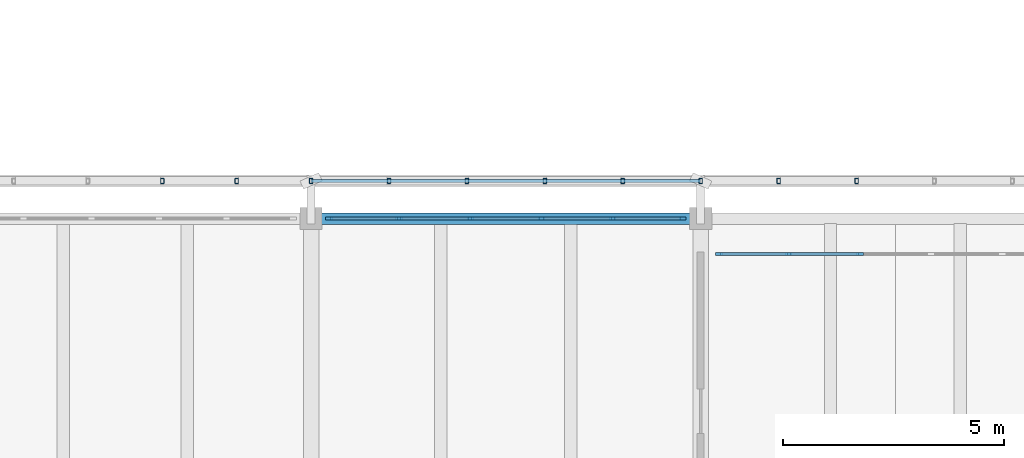
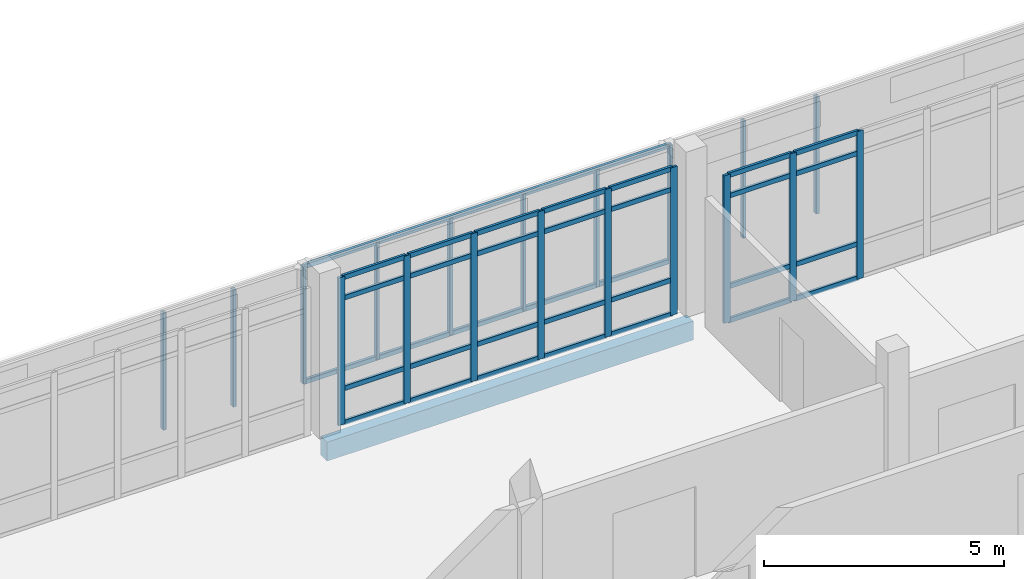
# One storey, part 29 of 137: 49 members, 1 beam, 2 elements without a shape of their own.
"""IFC4 building model written with IfcOpenShell, lengths in metres."""

from ifc_helpers import new_model, si_unit, direction, frame, origin, origin_2d, place, context, subcontext, project, spatial, rectangle, hollow_rectangle, extrude, material, material_profile, profile_set, type_object, element, aggregate, save


model = new_model("IFC4")

# Units and contexts
model_context = context("Model", 3, precision=1e-05, world=origin(), true_north=direction((0.0, 1.0)))
body_context = subcontext(model_context, "Body", "Model", "MODEL_VIEW")
ifc_project = project(units=[si_unit("LENGTHUNIT", "METRE"), si_unit("AREAUNIT", "SQUARE_METRE"), si_unit("VOLUMEUNIT", "CUBIC_METRE"), si_unit("PLANEANGLEUNIT", "RADIAN"), si_unit("MASSUNIT", "GRAM", prefix="KILO")], contexts=[model_context])

# Site, building, storey
site_placement = place(None, origin())
site = spatial("IfcSite", under=ifc_project, at=site_placement, CompositionType="ELEMENT")
building_placement = place(site_placement, origin())
building = spatial("IfcBuilding", under=site, at=building_placement, Name="Cinderway Yard Community Centre", CompositionType="ELEMENT")
storey_placement = place(building_placement, frame((0.0, 0.0, 4.800048828125)))
storey = spatial("IfcBuildingStorey", under=building, at=storey_placement, Name="L01", CompositionType="ELEMENT", Elevation=4.800048828125)

# Curtain wall, members
ifc_material_1 = material(Name="Aluminium 6063-T6", Category="aluminium")
curtain_wall_type = type_object("IfcCurtainWallType", Name="ENV-CW-TYPE-27", PredefinedType="USERDEFINED", material=ifc_material_1)
curtain_wall_1_placement = place(storey_placement, origin())
curtain_wall_1 = element("IfcCurtainWall", 1, at=curtain_wall_1_placement, inside=storey, type_object=curtain_wall_type, Name="Dining Courtyard Curtain Wall ENV-CW-L01-ST-0095", ObjectType="GLAZED CURTAIN WALL", PredefinedType="USERDEFINED")
ifc_material_profile_1 = material_profile(ifc_material_1, rectangle(XDim=0.06005859375, YDim=0.159912109375, at=origin_2d()), Name="Aluminium 6063-T6")
ifc_profile_set_1 = profile_set([ifc_material_profile_1], Name="Aluminium 6063-T6")
member_type_1 = type_object("IfcMemberType", Name="ENV-CW-MULL-150", PredefinedType="MULLION", material=ifc_profile_set_1)
member_1_placement = place(storey_placement, frame((75.610107421875, 22.800048828125, 0.0), z_axis=(0.0, 0.0, 1.0), x_axis=(0.0, 1.0, 0.0)))
member_1 = element("IfcMember", 2, at=member_1_placement, type_object=member_type_1, Name="CW-27 mullion 1", PredefinedType="MULLION", context=body_context, shape_type="SweptSolid", body=[
    extrude(rectangle(XDim=0.06005859375, YDim=0.159912109375, at=origin_2d()), origin(), (0.0, 0.0, 1.0), 3.75),
])
member_2_placement = place(storey_placement, frame((77.18798828125, 22.800048828125, 0.0), z_axis=(0.0, 0.0, 1.0), x_axis=(0.0, 1.0, 0.0)))
member_2 = element("IfcMember", 3, at=member_2_placement, type_object=member_type_1, Name="CW-27 mullion 2", PredefinedType="MULLION", context=body_context, shape_type="SweptSolid", body=[
    extrude(rectangle(XDim=0.06005859375, YDim=0.159912109375, at=origin_2d()), origin(), (0.0, 0.0, 1.0), 3.75),
])
member_3_placement = place(storey_placement, frame((78.7958984375, 22.800048828125, 0.0), z_axis=(0.0, 0.0, 1.0), x_axis=(0.0, 1.0, 0.0)))
member_3 = element("IfcMember", 4, at=member_3_placement, type_object=member_type_1, Name="CW-27 mullion 3", PredefinedType="MULLION", context=body_context, shape_type="SweptSolid", body=[
    extrude(rectangle(XDim=0.06005859375, YDim=0.159912109375, at=origin_2d()), origin(), (0.0, 0.0, 1.0), 3.75),
])
member_4_placement = place(storey_placement, frame((80.404052734375, 22.800048828125, 0.0), z_axis=(0.0, 0.0, 1.0), x_axis=(0.0, 1.0, 0.0)))
member_4 = element("IfcMember", 5, at=member_4_placement, type_object=member_type_1, Name="CW-27 mullion 4", PredefinedType="MULLION", context=body_context, shape_type="SweptSolid", body=[
    extrude(rectangle(XDim=0.06005859375, YDim=0.159912109375, at=origin_2d()), origin(), (0.0, 0.0, 1.0), 3.75),
])
member_5_placement = place(storey_placement, frame((82.011962890625, 22.800048828125, 0.0), z_axis=(0.0, 0.0, 1.0), x_axis=(0.0, 1.0, 0.0)))
member_5 = element("IfcMember", 6, at=member_5_placement, type_object=member_type_1, Name="CW-27 mullion 5", PredefinedType="MULLION", context=body_context, shape_type="SweptSolid", body=[
    extrude(rectangle(XDim=0.06005859375, YDim=0.159912109375, at=origin_2d()), origin(), (0.0, 0.0, 1.0), 3.75),
])
member_6_placement = place(storey_placement, frame((83.590087890625, 22.800048828125, 0.0), z_axis=(0.0, 0.0, 1.0), x_axis=(0.0, 1.0, 0.0)))
member_6 = element("IfcMember", 7, at=member_6_placement, type_object=member_type_1, Name="CW-27 mullion 6", PredefinedType="MULLION", context=body_context, shape_type="SweptSolid", body=[
    extrude(rectangle(XDim=0.06005859375, YDim=0.159912109375, at=origin_2d()), origin(), (0.0, 0.0, 1.0), 3.75),
])

curtain_wall_2_placement = place(storey_placement, origin())
curtain_wall_2 = element("IfcCurtainWall", 8, at=curtain_wall_2_placement, inside=storey, type_object=curtain_wall_type, Name="Dining Courtyard Curtain Wall ENV-CW-L01-ST-0096", ObjectType="GLAZED CURTAIN WALL", PredefinedType="USERDEFINED")
member_7_placement = place(storey_placement, frame((84.409912109375, 22.0, 0.0), z_axis=(0.0, 0.0, 1.0), x_axis=(0.0, 1.0, 0.0)))
member_7 = element("IfcMember", 9, at=member_7_placement, type_object=member_type_1, Name="CW-27 mullion 1", PredefinedType="MULLION", context=body_context, shape_type="SweptSolid", body=[
    extrude(rectangle(XDim=0.06005859375, YDim=0.159912109375, at=origin_2d()), origin(), (0.0, 0.0, 1.0), 3.75),
])
member_8_placement = place(storey_placement, frame((85.988037109375, 22.0, 0.0), z_axis=(0.0, 0.0, 1.0), x_axis=(0.0, 1.0, 0.0)))
member_8 = element("IfcMember", 10, at=member_8_placement, type_object=member_type_1, Name="CW-27 mullion 2", PredefinedType="MULLION", context=body_context, shape_type="SweptSolid", body=[
    extrude(rectangle(XDim=0.06005859375, YDim=0.159912109375, at=origin_2d()), origin(), (0.0, 0.0, 1.0), 3.75),
])
member_9_placement = place(storey_placement, frame((87.595947265625, 22.0, 0.0), z_axis=(0.0, 0.0, 1.0), x_axis=(0.0, 1.0, 0.0)))
member_9 = element("IfcMember", 11, at=member_9_placement, type_object=member_type_1, Name="CW-27 mullion 3", PredefinedType="MULLION", context=body_context, shape_type="SweptSolid", body=[
    extrude(rectangle(XDim=0.06005859375, YDim=0.159912109375, at=origin_2d()), origin(), (0.0, 0.0, 1.0), 3.75),
])

# Member
ifc_material_profile_2 = material_profile(ifc_material_1, rectangle(XDim=0.06005859375, YDim=0.1201171875, at=origin_2d()), Name="Aluminium 6063-T6")
ifc_profile_set_2 = profile_set([ifc_material_profile_2], Name="Aluminium 6063-T6")
member_type_2 = type_object("IfcMemberType", Name="ENV-CW-TRAN-110", PredefinedType="USERDEFINED", material=ifc_profile_set_2)
member_10_placement = place(storey_placement, frame((75.639892578125, 22.800048828125, 0.030029296875), z_axis=(1.0, 0.0, 0.0), x_axis=(0.0, 1.0, 0.0)))
member_10 = element("IfcMember", 12, at=member_10_placement, type_object=member_type_2, Name="CW-27 transom 1.1", ObjectType="TRANSOM", PredefinedType="USERDEFINED", context=body_context, shape_type="SweptSolid", body=[
    extrude(rectangle(XDim=0.06005859375, YDim=0.1201171875, at=origin_2d()), origin(), (0.0, 0.0, 1.0), 1.51806640625),
])

member_11_placement = place(storey_placement, frame((75.639892578125, 22.800048828125, 0.89990234375), z_axis=(1.0, 0.0, 0.0), x_axis=(0.0, 1.0, 0.0)))
member_11 = element("IfcMember", 13, at=member_11_placement, type_object=member_type_2, Name="CW-27 transom 1.2", ObjectType="TRANSOM", PredefinedType="USERDEFINED", context=body_context, shape_type="SweptSolid", body=[
    extrude(rectangle(XDim=0.06005859375, YDim=0.1201171875, at=origin_2d()), origin(), (0.0, 0.0, 1.0), 1.51806640625),
])

member_12_placement = place(storey_placement, frame((75.639892578125, 22.800048828125, 3.199951171875), z_axis=(1.0, 0.0, 0.0), x_axis=(0.0, 1.0, 0.0)))
member_12 = element("IfcMember", 14, at=member_12_placement, type_object=member_type_2, Name="CW-27 transom 1.3", ObjectType="TRANSOM", PredefinedType="USERDEFINED", context=body_context, shape_type="SweptSolid", body=[
    extrude(rectangle(XDim=0.06005859375, YDim=0.1201171875, at=origin_2d()), origin(), (0.0, 0.0, 1.0), 1.51806640625),
])

member_13_placement = place(storey_placement, frame((75.639892578125, 22.800048828125, 3.719970703125), z_axis=(1.0, 0.0, 0.0), x_axis=(0.0, 1.0, 0.0)))
member_13 = element("IfcMember", 15, at=member_13_placement, type_object=member_type_2, Name="CW-27 transom 1.4", ObjectType="TRANSOM", PredefinedType="USERDEFINED", context=body_context, shape_type="SweptSolid", body=[
    extrude(rectangle(XDim=0.06005859375, YDim=0.1201171875, at=origin_2d()), origin(), (0.0, 0.0, 1.0), 1.51806640625),
])

member_14_placement = place(storey_placement, frame((77.218017578125, 22.800048828125, 0.030029296875), z_axis=(1.0, 0.0, 0.0), x_axis=(0.0, 1.0, 0.0)))
member_14 = element("IfcMember", 16, at=member_14_placement, type_object=member_type_2, Name="CW-27 transom 2.1", ObjectType="TRANSOM", PredefinedType="USERDEFINED", context=body_context, shape_type="SweptSolid", body=[
    extrude(rectangle(XDim=0.06005859375, YDim=0.1201171875, at=origin_2d()), origin(), (0.0, 0.0, 1.0), 1.548095703125),
])

member_15_placement = place(storey_placement, frame((77.218017578125, 22.800048828125, 0.89990234375), z_axis=(1.0, 0.0, 0.0), x_axis=(0.0, 1.0, 0.0)))
member_15 = element("IfcMember", 17, at=member_15_placement, type_object=member_type_2, Name="CW-27 transom 2.2", ObjectType="TRANSOM", PredefinedType="USERDEFINED", context=body_context, shape_type="SweptSolid", body=[
    extrude(rectangle(XDim=0.06005859375, YDim=0.1201171875, at=origin_2d()), origin(), (0.0, 0.0, 1.0), 1.548095703125),
])

member_16_placement = place(storey_placement, frame((77.218017578125, 22.800048828125, 3.199951171875), z_axis=(1.0, 0.0, 0.0), x_axis=(0.0, 1.0, 0.0)))
member_16 = element("IfcMember", 18, at=member_16_placement, type_object=member_type_2, Name="CW-27 transom 2.3", ObjectType="TRANSOM", PredefinedType="USERDEFINED", context=body_context, shape_type="SweptSolid", body=[
    extrude(rectangle(XDim=0.06005859375, YDim=0.1201171875, at=origin_2d()), origin(), (0.0, 0.0, 1.0), 1.548095703125),
])

member_17_placement = place(storey_placement, frame((77.218017578125, 22.800048828125, 3.719970703125), z_axis=(1.0, 0.0, 0.0), x_axis=(0.0, 1.0, 0.0)))
member_17 = element("IfcMember", 19, at=member_17_placement, type_object=member_type_2, Name="CW-27 transom 2.4", ObjectType="TRANSOM", PredefinedType="USERDEFINED", context=body_context, shape_type="SweptSolid", body=[
    extrude(rectangle(XDim=0.06005859375, YDim=0.1201171875, at=origin_2d()), origin(), (0.0, 0.0, 1.0), 1.548095703125),
])

member_18_placement = place(storey_placement, frame((78.825927734375, 22.800048828125, 0.030029296875), z_axis=(1.0, 0.0, 0.0), x_axis=(0.0, 1.0, 0.0)))
member_18 = element("IfcMember", 20, at=member_18_placement, type_object=member_type_2, Name="CW-27 transom 3.1", ObjectType="TRANSOM", PredefinedType="USERDEFINED", context=body_context, shape_type="SweptSolid", body=[
    extrude(rectangle(XDim=0.06005859375, YDim=0.1201171875, at=origin_2d()), origin(), (0.0, 0.0, 1.0), 1.548095703125),
])

member_19_placement = place(storey_placement, frame((78.825927734375, 22.800048828125, 0.89990234375), z_axis=(1.0, 0.0, 0.0), x_axis=(0.0, 1.0, 0.0)))
member_19 = element("IfcMember", 21, at=member_19_placement, type_object=member_type_2, Name="CW-27 transom 3.2", ObjectType="TRANSOM", PredefinedType="USERDEFINED", context=body_context, shape_type="SweptSolid", body=[
    extrude(rectangle(XDim=0.06005859375, YDim=0.1201171875, at=origin_2d()), origin(), (0.0, 0.0, 1.0), 1.548095703125),
])

member_20_placement = place(storey_placement, frame((78.825927734375, 22.800048828125, 3.199951171875), z_axis=(1.0, 0.0, 0.0), x_axis=(0.0, 1.0, 0.0)))
member_20 = element("IfcMember", 22, at=member_20_placement, type_object=member_type_2, Name="CW-27 transom 3.3", ObjectType="TRANSOM", PredefinedType="USERDEFINED", context=body_context, shape_type="SweptSolid", body=[
    extrude(rectangle(XDim=0.06005859375, YDim=0.1201171875, at=origin_2d()), origin(), (0.0, 0.0, 1.0), 1.548095703125),
])

member_21_placement = place(storey_placement, frame((78.825927734375, 22.800048828125, 3.719970703125), z_axis=(1.0, 0.0, 0.0), x_axis=(0.0, 1.0, 0.0)))
member_21 = element("IfcMember", 23, at=member_21_placement, type_object=member_type_2, Name="CW-27 transom 3.4", ObjectType="TRANSOM", PredefinedType="USERDEFINED", context=body_context, shape_type="SweptSolid", body=[
    extrude(rectangle(XDim=0.06005859375, YDim=0.1201171875, at=origin_2d()), origin(), (0.0, 0.0, 1.0), 1.548095703125),
])

member_22_placement = place(storey_placement, frame((80.43408203125, 22.800048828125, 0.030029296875), z_axis=(1.0, 0.0, 0.0), x_axis=(0.0, 1.0, 0.0)))
member_22 = element("IfcMember", 24, at=member_22_placement, type_object=member_type_2, Name="CW-27 transom 4.1", ObjectType="TRANSOM", PredefinedType="USERDEFINED", context=body_context, shape_type="SweptSolid", body=[
    extrude(rectangle(XDim=0.06005859375, YDim=0.1201171875, at=origin_2d()), origin(), (0.0, 0.0, 1.0), 1.5478515625),
])

member_23_placement = place(storey_placement, frame((80.43408203125, 22.800048828125, 0.89990234375), z_axis=(1.0, 0.0, 0.0), x_axis=(0.0, 1.0, 0.0)))
member_23 = element("IfcMember", 25, at=member_23_placement, type_object=member_type_2, Name="CW-27 transom 4.2", ObjectType="TRANSOM", PredefinedType="USERDEFINED", context=body_context, shape_type="SweptSolid", body=[
    extrude(rectangle(XDim=0.06005859375, YDim=0.1201171875, at=origin_2d()), origin(), (0.0, 0.0, 1.0), 1.5478515625),
])

member_24_placement = place(storey_placement, frame((80.43408203125, 22.800048828125, 3.199951171875), z_axis=(1.0, 0.0, 0.0), x_axis=(0.0, 1.0, 0.0)))
member_24 = element("IfcMember", 26, at=member_24_placement, type_object=member_type_2, Name="CW-27 transom 4.3", ObjectType="TRANSOM", PredefinedType="USERDEFINED", context=body_context, shape_type="SweptSolid", body=[
    extrude(rectangle(XDim=0.06005859375, YDim=0.1201171875, at=origin_2d()), origin(), (0.0, 0.0, 1.0), 1.5478515625),
])

member_25_placement = place(storey_placement, frame((80.43408203125, 22.800048828125, 3.719970703125), z_axis=(1.0, 0.0, 0.0), x_axis=(0.0, 1.0, 0.0)))
member_25 = element("IfcMember", 27, at=member_25_placement, type_object=member_type_2, Name="CW-27 transom 4.4", ObjectType="TRANSOM", PredefinedType="USERDEFINED", context=body_context, shape_type="SweptSolid", body=[
    extrude(rectangle(XDim=0.06005859375, YDim=0.1201171875, at=origin_2d()), origin(), (0.0, 0.0, 1.0), 1.5478515625),
])

member_26_placement = place(storey_placement, frame((82.0419921875, 22.800048828125, 0.030029296875), z_axis=(1.0, 0.0, 0.0), x_axis=(0.0, 1.0, 0.0)))
member_26 = element("IfcMember", 28, at=member_26_placement, type_object=member_type_2, Name="CW-27 transom 5.1", ObjectType="TRANSOM", PredefinedType="USERDEFINED", context=body_context, shape_type="SweptSolid", body=[
    extrude(rectangle(XDim=0.06005859375, YDim=0.1201171875, at=origin_2d()), origin(), (0.0, 0.0, 1.0), 1.51806640625),
])

member_27_placement = place(storey_placement, frame((82.0419921875, 22.800048828125, 0.89990234375), z_axis=(1.0, 0.0, 0.0), x_axis=(0.0, 1.0, 0.0)))
member_27 = element("IfcMember", 29, at=member_27_placement, type_object=member_type_2, Name="CW-27 transom 5.2", ObjectType="TRANSOM", PredefinedType="USERDEFINED", context=body_context, shape_type="SweptSolid", body=[
    extrude(rectangle(XDim=0.06005859375, YDim=0.1201171875, at=origin_2d()), origin(), (0.0, 0.0, 1.0), 1.51806640625),
])

member_28_placement = place(storey_placement, frame((82.0419921875, 22.800048828125, 3.199951171875), z_axis=(1.0, 0.0, 0.0), x_axis=(0.0, 1.0, 0.0)))
member_28 = element("IfcMember", 30, at=member_28_placement, type_object=member_type_2, Name="CW-27 transom 5.3", ObjectType="TRANSOM", PredefinedType="USERDEFINED", context=body_context, shape_type="SweptSolid", body=[
    extrude(rectangle(XDim=0.06005859375, YDim=0.1201171875, at=origin_2d()), origin(), (0.0, 0.0, 1.0), 1.51806640625),
])

member_29_placement = place(storey_placement, frame((82.0419921875, 22.800048828125, 3.719970703125), z_axis=(1.0, 0.0, 0.0), x_axis=(0.0, 1.0, 0.0)))
member_29 = element("IfcMember", 31, at=member_29_placement, type_object=member_type_2, Name="CW-27 transom 5.4", ObjectType="TRANSOM", PredefinedType="USERDEFINED", context=body_context, shape_type="SweptSolid", body=[
    extrude(rectangle(XDim=0.06005859375, YDim=0.1201171875, at=origin_2d()), origin(), (0.0, 0.0, 1.0), 1.51806640625),
])

aggregate(curtain_wall_1, [member_1, member_2, member_3, member_4, member_5, member_6, member_10, member_11, member_12, member_13, member_14, member_15, member_16, member_17, member_18, member_19, member_20, member_21, member_22, member_23, member_24, member_25, member_26, member_27, member_28, member_29])

member_30_placement = place(storey_placement, frame((84.43994140625, 22.0, 0.030029296875), z_axis=(1.0, 0.0, 0.0), x_axis=(0.0, 1.0, 0.0)))
member_30 = element("IfcMember", 32, at=member_30_placement, type_object=member_type_2, Name="CW-27 transom 1.1", ObjectType="TRANSOM", PredefinedType="USERDEFINED", context=body_context, shape_type="SweptSolid", body=[
    extrude(rectangle(XDim=0.06005859375, YDim=0.1201171875, at=origin_2d()), origin(), (0.0, 0.0, 1.0), 1.51806640625),
])

member_31_placement = place(storey_placement, frame((84.43994140625, 22.0, 0.89990234375), z_axis=(1.0, 0.0, 0.0), x_axis=(0.0, 1.0, 0.0)))
member_31 = element("IfcMember", 33, at=member_31_placement, type_object=member_type_2, Name="CW-27 transom 1.2", ObjectType="TRANSOM", PredefinedType="USERDEFINED", context=body_context, shape_type="SweptSolid", body=[
    extrude(rectangle(XDim=0.06005859375, YDim=0.1201171875, at=origin_2d()), origin(), (0.0, 0.0, 1.0), 1.51806640625),
])

member_32_placement = place(storey_placement, frame((84.43994140625, 22.0, 3.199951171875), z_axis=(1.0, 0.0, 0.0), x_axis=(0.0, 1.0, 0.0)))
member_32 = element("IfcMember", 34, at=member_32_placement, type_object=member_type_2, Name="CW-27 transom 1.3", ObjectType="TRANSOM", PredefinedType="USERDEFINED", context=body_context, shape_type="SweptSolid", body=[
    extrude(rectangle(XDim=0.06005859375, YDim=0.1201171875, at=origin_2d()), origin(), (0.0, 0.0, 1.0), 1.51806640625),
])

member_33_placement = place(storey_placement, frame((84.43994140625, 22.0, 3.719970703125), z_axis=(1.0, 0.0, 0.0), x_axis=(0.0, 1.0, 0.0)))
member_33 = element("IfcMember", 35, at=member_33_placement, type_object=member_type_2, Name="CW-27 transom 1.4", ObjectType="TRANSOM", PredefinedType="USERDEFINED", context=body_context, shape_type="SweptSolid", body=[
    extrude(rectangle(XDim=0.06005859375, YDim=0.1201171875, at=origin_2d()), origin(), (0.0, 0.0, 1.0), 1.51806640625),
])

member_34_placement = place(storey_placement, frame((86.01806640625, 22.0, 0.030029296875), z_axis=(1.0, 0.0, 0.0), x_axis=(0.0, 1.0, 0.0)))
member_34 = element("IfcMember", 36, at=member_34_placement, type_object=member_type_2, Name="CW-27 transom 2.1", ObjectType="TRANSOM", PredefinedType="USERDEFINED", context=body_context, shape_type="SweptSolid", body=[
    extrude(rectangle(XDim=0.06005859375, YDim=0.1201171875, at=origin_2d()), origin(), (0.0, 0.0, 1.0), 1.5478515625),
])

member_35_placement = place(storey_placement, frame((86.01806640625, 22.0, 0.89990234375), z_axis=(1.0, 0.0, 0.0), x_axis=(0.0, 1.0, 0.0)))
member_35 = element("IfcMember", 37, at=member_35_placement, type_object=member_type_2, Name="CW-27 transom 2.2", ObjectType="TRANSOM", PredefinedType="USERDEFINED", context=body_context, shape_type="SweptSolid", body=[
    extrude(rectangle(XDim=0.06005859375, YDim=0.1201171875, at=origin_2d()), origin(), (0.0, 0.0, 1.0), 1.5478515625),
])

member_36_placement = place(storey_placement, frame((86.01806640625, 22.0, 3.199951171875), z_axis=(1.0, 0.0, 0.0), x_axis=(0.0, 1.0, 0.0)))
member_36 = element("IfcMember", 38, at=member_36_placement, type_object=member_type_2, Name="CW-27 transom 2.3", ObjectType="TRANSOM", PredefinedType="USERDEFINED", context=body_context, shape_type="SweptSolid", body=[
    extrude(rectangle(XDim=0.06005859375, YDim=0.1201171875, at=origin_2d()), origin(), (0.0, 0.0, 1.0), 1.5478515625),
])

member_37_placement = place(storey_placement, frame((86.01806640625, 22.0, 3.719970703125), z_axis=(1.0, 0.0, 0.0), x_axis=(0.0, 1.0, 0.0)))
member_37 = element("IfcMember", 39, at=member_37_placement, type_object=member_type_2, Name="CW-27 transom 2.4", ObjectType="TRANSOM", PredefinedType="USERDEFINED", context=body_context, shape_type="SweptSolid", body=[
    extrude(rectangle(XDim=0.06005859375, YDim=0.1201171875, at=origin_2d()), origin(), (0.0, 0.0, 1.0), 1.5478515625),
])

aggregate(curtain_wall_2, [member_7, member_8, member_9, member_30, member_31, member_32, member_33, member_34, member_35, member_36, member_37])

# Members
ifc_material_2 = material(Name="Steel S355", Category="steel")
ifc_material_profile_3 = material_profile(ifc_material_2, hollow_rectangle(XDim=0.080078125, YDim=0.1201171875, WallThickness=0.00634765625, InnerFilletRadius=0.00634765625, OuterFilletRadius=0.0126953125, at=origin_2d()), Name="Steel S355")
ifc_profile_set_3 = profile_set([ifc_material_profile_3], Name="Steel S355")
member_type_3 = type_object("IfcMemberType", Name="ENV-MEM-SCREEN-RAIL-120", PredefinedType="STRINGER", material=ifc_profile_set_3)
for number, where, z_axis, x_axis, name in (
    (40, (71.840087890625, 23.64990234375, 0.68994140625), (0.0, 0.0, 1.0), (1.0, 0.0, 0.0), "Screen vertical mullion 0606"),
    (41, (73.52001953125, 23.64990234375, 0.68994140625), (0.0, 0.0, 1.0), (1.0, 0.0, 0.0), "Screen vertical mullion 0607"),
    (42, (75.199951171875, 23.64990234375, 0.68994140625), (0.0, 0.0, 1.0), (1.0, 0.0, 0.0), "Screen vertical mullion 0608"),
):
    element("IfcMember", number, at=place(storey_placement, frame(where, z_axis=z_axis, x_axis=x_axis)), inside=storey, type_object=member_type_3, Name=name, PredefinedType="STRINGER", context=body_context, shape_type="SweptSolid", body=[
        extrude(hollow_rectangle(XDim=0.080078125, YDim=0.1201171875, WallThickness=0.00634765625, InnerFilletRadius=0.00634765625, OuterFilletRadius=0.0126953125, at=origin_2d()), origin(), (0.0, 0.0, 1.0), 2.969970703125),
    ])
for number, where, z_axis, x_axis, name in (
    (43, (75.199951171875, 23.64990234375, 0.7099609375), (1.0, 0.0, 0.0), (0.0, 1.0, 0.0), "Screen support rail 0610-BOT"),
    (44, (75.199951171875, 23.64990234375, 3.639892578125), (1.0, 0.0, 0.0), (0.0, 1.0, 0.0), "Screen support rail 0611-TOP"),
):
    element("IfcMember", number, at=place(storey_placement, frame(where, z_axis=z_axis, x_axis=x_axis)), inside=storey, type_object=member_type_3, Name=name, PredefinedType="STRINGER", context=body_context, shape_type="SweptSolid", body=[
        extrude(hollow_rectangle(XDim=0.080078125, YDim=0.1201171875, WallThickness=0.00634765625, InnerFilletRadius=0.00634765625, OuterFilletRadius=0.0126953125, at=origin_2d()), origin(), (0.0, 0.0, 1.0), 8.800048828125),
    ])
for number, where, z_axis, x_axis, name in (
    (45, (76.9599609375, 23.64990234375, 0.68994140625), (0.0, 0.0, 1.0), (1.0, 0.0, 0.0), "Screen vertical mullion 0612"),
    (46, (78.719970703125, 23.64990234375, 0.68994140625), (0.0, 0.0, 1.0), (1.0, 0.0, 0.0), "Screen vertical mullion 0613"),
    (47, (80.47998046875, 23.64990234375, 0.68994140625), (0.0, 0.0, 1.0), (1.0, 0.0, 0.0), "Screen vertical mullion 0614"),
    (48, (82.239990234375, 23.64990234375, 0.68994140625), (0.0, 0.0, 1.0), (1.0, 0.0, 0.0), "Screen vertical mullion 0615"),
    (49, (84.0, 23.64990234375, 0.68994140625), (0.0, 0.0, 1.0), (1.0, 0.0, 0.0), "Screen vertical mullion 0616"),
    (50, (85.760009765625, 23.64990234375, 0.68994140625), (0.0, 0.0, 1.0), (1.0, 0.0, 0.0), "Screen vertical mullion 0620"),
    (51, (87.52001953125, 23.64990234375, 0.68994140625), (0.0, 0.0, 1.0), (1.0, 0.0, 0.0), "Screen vertical mullion 0621"),
):
    element("IfcMember", number, at=place(storey_placement, frame(where, z_axis=z_axis, x_axis=x_axis)), inside=storey, type_object=member_type_3, Name=name, PredefinedType="STRINGER", context=body_context, shape_type="SweptSolid", body=[
        extrude(hollow_rectangle(XDim=0.080078125, YDim=0.1201171875, WallThickness=0.00634765625, InnerFilletRadius=0.00634765625, OuterFilletRadius=0.0126953125, at=origin_2d()), origin(), (0.0, 0.0, 1.0), 2.969970703125),
    ])

# Beam
ifc_material_3 = material(Name="Concrete C40/50", Category="concrete")
ifc_material_profile_4 = material_profile(ifc_material_3, rectangle(XDim=0.260009765625, YDim=0.47998046875, at=origin_2d()), Name="Concrete C40/50")
ifc_profile_set_4 = profile_set([ifc_material_profile_4], Name="Concrete C40/50")
beam_type = type_object("IfcBeamType", Name="STR-BM-RC260X480", PredefinedType="SPANDREL", material=ifc_profile_set_4)
beam_placement = place(storey_placement, frame((75.199951171875, 22.800048828125, -0.47998046875), z_axis=(1.0, 0.0, 0.0), x_axis=(0.0, 1.0, 0.0)))
element("IfcBeam", 52, at=beam_placement, inside=storey, type_object=beam_type, Name="Primary girder STR-BM-L01-SP01-0127", PredefinedType="SPANDREL", context=body_context, shape_type="SweptSolid", body=[
    extrude(rectangle(XDim=0.260009765625, YDim=0.47998046875, at=origin_2d()), origin(), (0.0, 0.0, 1.0), 8.800048828125),
])

save(model, "model.ifc")
